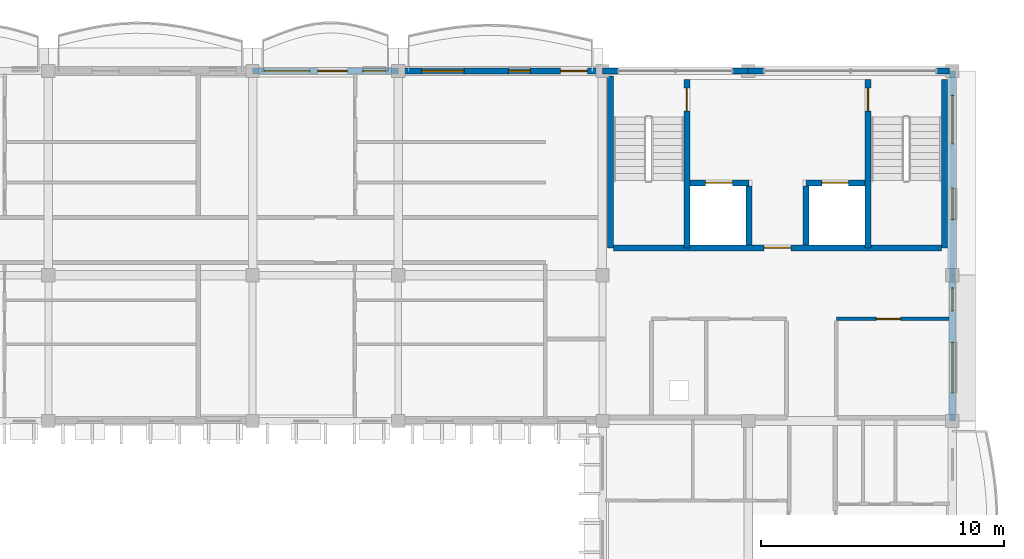
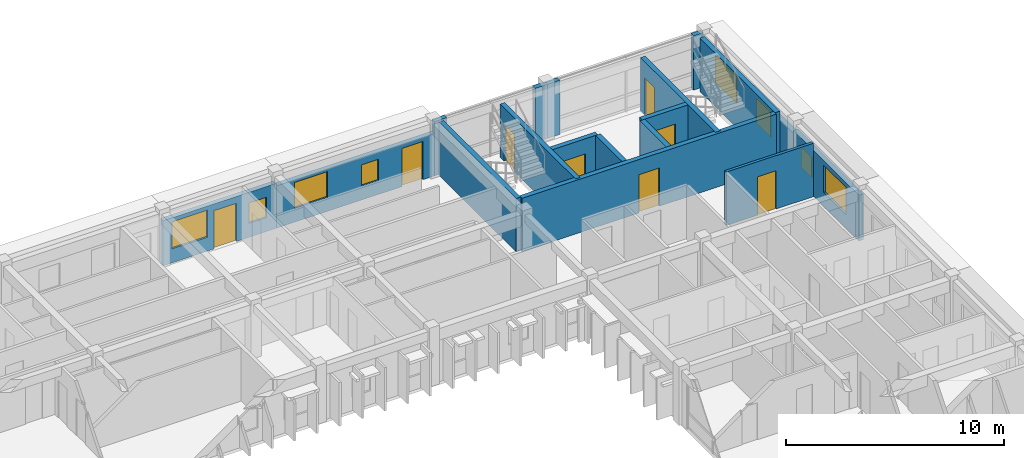
# One storey, part 19 of 31: 18 walls, 8 doors, 8 windows, 16 openings.
"""IFC4 building model written with IfcOpenShell, lengths in metres."""

from ifc_helpers import new_model, si_unit, direction, frame, frame_2d, origin, place, context, subcontext, project, spatial, rectangle, extrude, material, layer, layer_set, type_object, element, fill, save


model = new_model("IFC4")

# Units and contexts
model_context = context("Model", 3, precision=1e-05, world=origin(), true_north=direction((0.0, 1.0)))
body_context = subcontext(model_context, "Body", "Model", "MODEL_VIEW")
ifc_project = project(units=[si_unit("LENGTHUNIT", "METRE"), si_unit("AREAUNIT", "SQUARE_METRE"), si_unit("VOLUMEUNIT", "CUBIC_METRE"), si_unit("PLANEANGLEUNIT", "RADIAN"), si_unit("MASSUNIT", "GRAM", prefix="KILO"), si_unit("THERMODYNAMICTEMPERATUREUNIT", "KELVIN")], contexts=[model_context])

# Site, building, storey
site_placement = place(None, origin())
site = spatial("IfcSite", under=ifc_project, at=site_placement, CompositionType="ELEMENT")
building_placement = place(site_placement, origin())
building = spatial("IfcBuilding", under=site, at=building_placement, Name="Thalorik Housing Commons", CompositionType="ELEMENT")
storey_placement = place(building_placement, frame((0.0, 0.0, 37.800048828125)))
storey = spatial("IfcBuildingStorey", under=building, at=storey_placement, Name="L11", CompositionType="ELEMENT", Elevation=37.800048828125)

# Wall, opening, door
ifc_material_1 = material(Name="Concrete C40/50", Category="concrete")
ifc_layer_1 = layer(ifc_material_1, 0.25, Name="Concrete C40/50", Category="concrete")
ifc_layer_set_1 = layer_set([ifc_layer_1], Name="Concrete C40/50")
wall_type_1 = type_object("IfcWallType", Name="ARC-WAL-CORE-250", PredefinedType="SHEAR", material=ifc_layer_set_1)
wall_1_placement = place(storey_placement, frame((155.875, 123.25, 0.0), z_axis=(0.0, 0.0, 1.0), x_axis=(0.0, -1.0, 0.0)))
wall_1 = element("IfcWall", 1, at=wall_1_placement, inside=storey, type_object=wall_type_1, Name="L11 Core B Stair 1 Shear Wall", PredefinedType="SHEAR", context=body_context, shape_type="SweptSolid", body=[
    extrude(rectangle(XDim=6.925048828125, YDim=0.25, at=frame_2d((3.46240234375, 0.0))), origin(), (0.0, 0.0, 1.0), 3.0),
])
opening_1_placement = place(wall_1_placement, frame((0.35009765625, 0.0, 0.0)))
opening_1 = element("IfcOpeningElement", 2, at=opening_1_placement, cuts=wall_1, Name="Opening ID-0233", PredefinedType="OPENING", context=body_context, shape_type="SweptSolid", body=[
    extrude(rectangle(XDim=0.949951171875, YDim=2.10009765625, at=frame_2d((0.47509765625, 1.050048828125))), frame((0.0, 0.135009765625, 0.0), z_axis=(0.0, -1.0, 0.0), x_axis=(1.0, 0.0, 0.0)), (0.0, 0.0, 1.0), 0.27001953125),
])
ifc_material_2 = material(Name="Steel S355", Category="steel")
door_type_1 = type_object("IfcDoorType", Name="ARC-DR-FD60-950", OperationType="NOTDEFINED", PredefinedType="DOOR", material=ifc_material_2)
door_1_placement = place(opening_1_placement, origin())
door_1 = element("IfcDoor", 3, at=door_1_placement, inside=storey, type_object=door_type_1, Name="L11 Stair ST-B1 Fire Door", OperationType="SINGLE_SWING_RIGHT", OverallHeight=2.10009765625, OverallWidth=0.949951171875, PredefinedType="DOOR", context=body_context, shape_type="SweptSolid", body=[
    extrude(rectangle(XDim=0.949951171875, YDim=2.10009765625, at=frame_2d((0.47509765625, 1.050048828125))), frame((0.0, 0.02490234375, 0.0), z_axis=(0.0, -1.0, 0.0), x_axis=(1.0, 0.0, 0.0)), (0.0, 0.0, 1.0), 0.050048828125),
])
fill(opening_1, door_1)

# Walls
wall_2_placement = place(storey_placement, frame((152.72509765625, 123.39990234375, 0.0), z_axis=(0.0, 0.0, 1.0), x_axis=(0.0, -1.0, 0.0)))
element("IfcWall", 4, at=wall_2_placement, inside=storey, type_object=wall_type_1, Name="L11 Core B Stair 1 Outer Shear Wall", PredefinedType="SHEAR", context=body_context, shape_type="SweptSolid", body=[
    extrude(rectangle(XDim=7.074951171875, YDim=0.25, at=frame_2d((3.53759765625, 0.0))), origin(), (0.0, 0.0, 1.0), 3.0),
])
wall_3_placement = place(storey_placement, frame((166.47509765625, 123.25, 0.0), z_axis=(0.0, 0.0, 1.0), x_axis=(0.0, -1.0, 0.0)))
element("IfcWall", 5, at=wall_3_placement, inside=storey, type_object=wall_type_1, Name="L11 Core B Stair 2 Outer Shear Wall", PredefinedType="SHEAR", context=body_context, shape_type="SweptSolid", body=[
    extrude(rectangle(XDim=6.925048828125, YDim=0.25, at=frame_2d((3.46240234375, 0.0))), origin(), (0.0, 0.0, 1.0), 3.0),
])

# Wall, opening, door
wall_4_placement = place(storey_placement, frame((163.324951171875, 123.25, 0.0), z_axis=(0.0, 0.0, 1.0), x_axis=(0.0, -1.0, 0.0)))
wall_4 = element("IfcWall", 6, at=wall_4_placement, inside=storey, type_object=wall_type_1, Name="L11 Core B Stair 2 Shear Wall", PredefinedType="SHEAR", context=body_context, shape_type="SweptSolid", body=[
    extrude(rectangle(XDim=6.925048828125, YDim=0.25, at=frame_2d((3.46240234375, 0.0))), origin(), (0.0, 0.0, 1.0), 3.0),
])
opening_2_placement = place(wall_4_placement, frame((0.35009765625, 0.0, 0.0)))
opening_2 = element("IfcOpeningElement", 7, at=opening_2_placement, cuts=wall_4, Name="Opening ID-0234", PredefinedType="OPENING", context=body_context, shape_type="SweptSolid", body=[
    extrude(rectangle(XDim=0.949951171875, YDim=2.10009765625, at=frame_2d((0.47509765625, 1.050048828125))), frame((0.0, 0.135009765625, 0.0), z_axis=(0.0, -1.0, 0.0), x_axis=(1.0, 0.0, 0.0)), (0.0, 0.0, 1.0), 0.27001953125),
])
door_2_placement = place(opening_2_placement, origin())
door_2 = element("IfcDoor", 8, at=door_2_placement, inside=storey, type_object=door_type_1, Name="L11 Stair ST-B2 Fire Door", OperationType="SINGLE_SWING_LEFT", OverallHeight=2.10009765625, OverallWidth=0.949951171875, PredefinedType="DOOR", context=body_context, shape_type="SweptSolid", body=[
    extrude(rectangle(XDim=0.949951171875, YDim=2.10009765625, at=frame_2d((0.47509765625, 1.050048828125))), frame((0.0, 0.02490234375, 0.0), z_axis=(0.0, -1.0, 0.0), x_axis=(1.0, 0.0, 0.0)), (0.0, 0.0, 1.0), 0.050048828125),
])
fill(opening_2, door_2)

wall_5_placement = place(storey_placement, frame((156.0, 119.0, 0.0), z_axis=(0.0, 0.0, 1.0), x_axis=(1.0, 0.0, 0.0)))
wall_5 = element("IfcWall", 9, at=wall_5_placement, inside=storey, type_object=wall_type_1, Name="L11 Lift LF-B1 Front Shaft Wall", PredefinedType="SHEAR", context=body_context, shape_type="SweptSolid", body=[
    extrude(rectangle(XDim=2.425048828125, YDim=0.25, at=frame_2d((1.21240234375, 0.0))), origin(), (0.0, 0.0, 1.0), 3.0),
])
opening_3_placement = place(wall_5_placement, frame((0.64990234375, 0.0, 0.0)))
opening_3 = element("IfcOpeningElement", 10, at=opening_3_placement, cuts=wall_5, Name="Opening LD-LF-B1-L11", PredefinedType="OPENING", context=body_context, shape_type="SweptSolid", body=[
    extrude(rectangle(XDim=1.10009765625, YDim=2.14990234375, at=frame_2d((0.550048828125, 1.074951171875))), frame((0.0, 0.135009765625, 0.0), z_axis=(0.0, -1.0, 0.0), x_axis=(1.0, 0.0, 0.0)), (0.0, 0.0, 1.0), 0.27001953125),
])
door_type_2 = type_object("IfcDoorType", Name="ARC-DR-LIFT-1100", OperationType="NOTDEFINED", PredefinedType="DOOR", material=ifc_material_2)
door_3_placement = place(opening_3_placement, origin())
door_3 = element("IfcDoor", 11, at=door_3_placement, inside=storey, type_object=door_type_2, Name="L11 Lift LF-B1 Landing Door", OperationType="SLIDING_TO_LEFT", OverallHeight=2.14990234375, OverallWidth=1.10009765625, PredefinedType="DOOR", context=body_context, shape_type="SweptSolid", body=[
    extrude(rectangle(XDim=1.10009765625, YDim=2.14990234375, at=frame_2d((0.550048828125, 1.074951171875))), frame((0.0, 0.02490234375, 0.0), z_axis=(0.0, -1.0, 0.0), x_axis=(1.0, 0.0, 0.0)), (0.0, 0.0, 1.0), 0.050048828125),
])
fill(opening_3, door_3)

wall_6_placement = place(storey_placement, frame((160.77490234375, 119.0, 0.0), z_axis=(0.0, 0.0, 1.0), x_axis=(1.0, 0.0, 0.0)))
wall_6 = element("IfcWall", 12, at=wall_6_placement, inside=storey, type_object=wall_type_1, Name="L11 Lift LP-B2 Front Shaft Wall", PredefinedType="SHEAR", context=body_context, shape_type="SweptSolid", body=[
    extrude(rectangle(XDim=2.425048828125, YDim=0.25, at=frame_2d((1.21240234375, 0.0))), origin(), (0.0, 0.0, 1.0), 3.0),
])
opening_4_placement = place(wall_6_placement, frame((0.64990234375, 0.0, 0.0)))
opening_4 = element("IfcOpeningElement", 13, at=opening_4_placement, cuts=wall_6, Name="Opening LD-LP-B2-L11", PredefinedType="OPENING", context=body_context, shape_type="SweptSolid", body=[
    extrude(rectangle(XDim=1.10009765625, YDim=2.14990234375, at=frame_2d((0.550048828125, 1.074951171875))), frame((0.0, 0.135009765625, 0.0), z_axis=(0.0, -1.0, 0.0), x_axis=(1.0, 0.0, 0.0)), (0.0, 0.0, 1.0), 0.27001953125),
])
door_4_placement = place(opening_4_placement, origin())
door_4 = element("IfcDoor", 14, at=door_4_placement, inside=storey, type_object=door_type_2, Name="L11 Lift LP-B2 Landing Door", OperationType="SLIDING_TO_LEFT", OverallHeight=2.14990234375, OverallWidth=1.10009765625, PredefinedType="DOOR", context=body_context, shape_type="SweptSolid", body=[
    extrude(rectangle(XDim=1.10009765625, YDim=2.14990234375, at=frame_2d((0.550048828125, 1.074951171875))), frame((0.0, 0.02490234375, 0.0), z_axis=(0.0, -1.0, 0.0), x_axis=(1.0, 0.0, 0.0)), (0.0, 0.0, 1.0), 0.050048828125),
])
fill(opening_4, door_4)

# Walls
for number, where, z_axis, x_axis, name in (
    (15, (158.425048828125, 118.875, 0.0), (0.0, 0.0, 1.0), (0.0, -1.0, 0.0), "L11 Lift 1 Cheek Wall"),
    (16, (160.77490234375, 118.875, 0.0), (0.0, 0.0, 1.0), (0.0, -1.0, 0.0), "L11 Lift 2 Cheek Wall"),
):
    element("IfcWall", number, at=place(storey_placement, frame(where, z_axis=z_axis, x_axis=x_axis)), inside=storey, type_object=wall_type_1, Name=name, PredefinedType="SHEAR", context=body_context, shape_type="SweptSolid", body=[
        extrude(rectangle(XDim=2.425048828125, YDim=0.25, at=frame_2d((1.21240234375, 0.0))), origin(), (0.0, 0.0, 1.0), 3.0),
    ])

# Wall, opening, door
wall_7_placement = place(storey_placement, frame((152.85009765625, 116.324951171875, 0.0), z_axis=(0.0, 0.0, 1.0), x_axis=(1.0, 0.0, 0.0)))
wall_7 = element("IfcWall", 17, at=wall_7_placement, inside=storey, type_object=wall_type_1, Name="L11 Core B Spine Shear Wall", PredefinedType="SHEAR", context=body_context, shape_type="SweptSolid", body=[
    extrude(rectangle(XDim=13.5, YDim=0.25, at=frame_2d((6.75, 0.0))), origin(), (0.0, 0.0, 1.0), 3.0),
])
opening_5_placement = place(wall_7_placement, frame((6.199951171875, 0.0, 0.0)))
opening_5 = element("IfcOpeningElement", 18, at=opening_5_placement, cuts=wall_7, Name="Opening ID-0237", PredefinedType="OPENING", context=body_context, shape_type="SweptSolid", body=[
    extrude(rectangle(XDim=1.10009765625, YDim=2.14990234375, at=frame_2d((0.550048828125, 1.074951171875))), frame((0.0, 0.135009765625, 0.0), z_axis=(0.0, -1.0, 0.0), x_axis=(1.0, 0.0, 0.0)), (0.0, 0.0, 1.0), 0.27001953125),
])
door_type_3 = type_object("IfcDoorType", Name="ARC-DR-FD60-1100", OperationType="NOTDEFINED", PredefinedType="DOOR", material=ifc_material_2)
door_5_placement = place(opening_5_placement, origin())
door_5 = element("IfcDoor", 19, at=door_5_placement, inside=storey, type_object=door_type_3, Name="L11 Core B Lobby Fire Door", OperationType="SINGLE_SWING_RIGHT", OverallHeight=2.14990234375, OverallWidth=1.10009765625, PredefinedType="DOOR", context=body_context, shape_type="SweptSolid", body=[
    extrude(rectangle(XDim=1.10009765625, YDim=2.14990234375, at=frame_2d((0.550048828125, 1.074951171875))), frame((0.0, 0.02490234375, 0.0), z_axis=(0.0, -1.0, 0.0), x_axis=(1.0, 0.0, 0.0)), (0.0, 0.0, 1.0), 0.050048828125),
])
fill(opening_5, door_5)

# Wall, openings, windows
ifc_material_3 = material(Name="White precast concrete C40/50", Category="concrete")
ifc_layer_2 = layer(ifc_material_3, 0.2451171875, Name="White precast concrete C40/50", Category="concrete")
ifc_layer_set_2 = layer_set([ifc_layer_2], Name="White precast concrete C40/50")
wall_type_2 = type_object("IfcWallType", Name="ARC-WAL-EXT-245", PredefinedType="STANDARD", material=ifc_layer_set_2)
wall_8_placement = place(storey_placement, frame((166.800048828125, 109.199951171875, 0.0), z_axis=(0.0, 0.0, 1.0), x_axis=(0.0, 1.0, 0.0)))
wall_8 = element("IfcWall", 20, at=wall_8_placement, inside=storey, type_object=wall_type_2, Name="L11 Exterior Wall WAL-EXT-L11-B-0769", PredefinedType="STANDARD", context=body_context, shape_type="SweptSolid", body=[
    extrude(rectangle(XDim=6.0, YDim=0.2451171875, at=frame_2d((3.0, 0.0))), origin(), (0.0, 0.0, 1.0), 2.574951171875),
])
opening_6_placement = place(wall_8_placement, frame((1.155029296875, 0.0, 0.780029296875)))
opening_6 = element("IfcOpeningElement", 21, at=opening_6_placement, cuts=wall_8, Name="Opening W-63", PredefinedType="OPENING", context=body_context, shape_type="SweptSolid", body=[
    extrude(rectangle(XDim=2.080078125, YDim=1.52001953125, at=frame_2d((1.0400390625, 0.760009765625))), frame((0.0, 0.132568359375, 0.0), z_axis=(0.0, -1.0, 0.0), x_axis=(1.0, 0.0, 0.0)), (0.0, 0.0, 1.0), 0.26513671875),
])
opening_7_placement = place(wall_8_placement, frame((4.530029296875, 0.0, 0.780029296875)))
opening_7 = element("IfcOpeningElement", 22, at=opening_7_placement, cuts=wall_8, Name="Opening W-43", PredefinedType="OPENING", context=body_context, shape_type="SweptSolid", body=[
    extrude(rectangle(XDim=0.949951171875, YDim=1.14990234375, at=frame_2d((0.47509765625, 0.574951171875))), frame((0.0, 0.132568359375, 0.0), z_axis=(0.0, -1.0, 0.0), x_axis=(1.0, 0.0, 0.0)), (0.0, 0.0, 1.0), 0.26513671875),
])
ifc_material_4 = material(Name="Anodised aluminium and solar-control low-E glass", Category="aluminium")
window_type_1 = type_object("IfcWindowType", Name="ARC-WIN-43", PartitioningType="SINGLE_PANEL", PredefinedType="WINDOW", material=ifc_material_4)
window_1_placement = place(opening_7_placement, origin())
window_1 = element("IfcWindow", 23, at=window_1_placement, inside=storey, type_object=window_type_1, Name="L11 Facade Window 1420", OverallHeight=1.14990234375, OverallWidth=0.949951171875, PartitioningType="SINGLE_PANEL", PredefinedType="WINDOW", context=body_context, shape_type="SweptSolid", body=[
    extrude(rectangle(XDim=0.949951171875, YDim=1.14990234375, at=frame_2d((0.47509765625, 0.574951171875))), frame((0.0, 0.030029296875, 0.0), z_axis=(0.0, -1.0, 0.0), x_axis=(1.0, 0.0, 0.0)), (0.0, 0.0, 1.0), 0.06005859375),
])
fill(opening_7, window_1)
window_type_2 = type_object("IfcWindowType", Name="ARC-WIN-63", PartitioningType="DOUBLE_PANEL_VERTICAL", PredefinedType="WINDOW", material=ifc_material_4)
window_2_placement = place(opening_6_placement, origin())
window_2 = element("IfcWindow", 24, at=window_2_placement, inside=storey, type_object=window_type_2, Name="L11 Facade Window 1419", OverallHeight=1.52001953125, OverallWidth=2.080078125, PartitioningType="DOUBLE_PANEL_VERTICAL", PredefinedType="WINDOW", context=body_context, shape_type="SweptSolid", body=[
    extrude(rectangle(XDim=2.080078125, YDim=1.52001953125, at=frame_2d((1.0400390625, 0.760009765625))), frame((0.0, 0.030029296875, 0.0), z_axis=(0.0, -1.0, 0.0), x_axis=(1.0, 0.0, 0.0)), (0.0, 0.0, 1.0), 0.06005859375),
])
fill(opening_6, window_2)

wall_9_placement = place(storey_placement, frame((166.800048828125, 115.199951171875, 0.0), z_axis=(0.0, 0.0, 1.0), x_axis=(0.0, 1.0, 0.0)))
wall_9 = element("IfcWall", 25, at=wall_9_placement, inside=storey, type_object=wall_type_2, Name="L11 Exterior Wall WAL-EXT-L11-B-0770", PredefinedType="STANDARD", context=body_context, shape_type="SweptSolid", body=[
    extrude(rectangle(XDim=8.400146484375, YDim=0.2451171875, at=frame_2d((4.2001953125, 0.0))), origin(), (0.0, 0.0, 1.0), 2.425048828125),
])
opening_8_placement = place(wall_9_placement, frame((2.28125, 0.0, 0.780029296875)))
opening_8 = element("IfcOpeningElement", 26, at=opening_8_placement, cuts=wall_9, Name="Opening W-06", PredefinedType="OPENING", context=body_context, shape_type="SweptSolid", body=[
    extrude(rectangle(XDim=1.300048828125, YDim=1.39990234375, at=frame_2d((0.64990234375, 0.699951171875))), frame((0.0, 0.132568359375, 0.0), z_axis=(0.0, -1.0, 0.0), x_axis=(1.0, 0.0, 0.0)), (0.0, 0.0, 1.0), 0.26513671875),
])
opening_9_placement = place(wall_9_placement, frame((5.40380859375, 0.0, 0.780029296875)))
opening_9 = element("IfcOpeningElement", 27, at=opening_9_placement, cuts=wall_9, Name="Opening W-23", PredefinedType="OPENING", context=body_context, shape_type="SweptSolid", body=[
    extrude(rectangle(XDim=2.0, YDim=1.5, at=frame_2d((1.0, 0.75))), frame((0.0, 0.132568359375, 0.0), z_axis=(0.0, -1.0, 0.0), x_axis=(1.0, 0.0, 0.0)), (0.0, 0.0, 1.0), 0.26513671875),
])
window_type_3 = type_object("IfcWindowType", Name="ARC-WIN-06", PartitioningType="SINGLE_PANEL", PredefinedType="WINDOW", material=ifc_material_4)
window_3_placement = place(opening_8_placement, origin())
window_3 = element("IfcWindow", 28, at=window_3_placement, inside=storey, type_object=window_type_3, Name="L11 Facade Window 1421", OverallHeight=1.39990234375, OverallWidth=1.300048828125, PartitioningType="SINGLE_PANEL", PredefinedType="WINDOW", context=body_context, shape_type="SweptSolid", body=[
    extrude(rectangle(XDim=1.300048828125, YDim=1.39990234375, at=frame_2d((0.64990234375, 0.699951171875))), frame((0.0, 0.030029296875, 0.0), z_axis=(0.0, -1.0, 0.0), x_axis=(1.0, 0.0, 0.0)), (0.0, 0.0, 1.0), 0.06005859375),
])
fill(opening_8, window_3)
window_type_4 = type_object("IfcWindowType", Name="ARC-WIN-23", PartitioningType="DOUBLE_PANEL_VERTICAL", PredefinedType="WINDOW", material=ifc_material_4)
window_4_placement = place(opening_9_placement, origin())
window_4 = element("IfcWindow", 29, at=window_4_placement, inside=storey, type_object=window_type_4, Name="L11 Facade Window 1422", OverallHeight=1.5, OverallWidth=2.0, PartitioningType="DOUBLE_PANEL_VERTICAL", PredefinedType="WINDOW", context=body_context, shape_type="SweptSolid", body=[
    extrude(rectangle(XDim=2.0, YDim=1.5, at=frame_2d((1.0, 0.75))), frame((0.0, 0.030029296875, 0.0), z_axis=(0.0, -1.0, 0.0), x_axis=(1.0, 0.0, 0.0)), (0.0, 0.0, 1.0), 0.06005859375),
])
fill(opening_9, window_4)

# Walls
wall_10_placement = place(storey_placement, frame((166.675537109375, 123.60009765625, 0.0), z_axis=(0.0, 0.0, 1.0), x_axis=(-1.0, 0.0, 0.0)))
element("IfcWall", 30, at=wall_10_placement, inside=storey, type_object=wall_type_2, Name="L11 Exterior Wall WAL-PIERL-L11-B-0771", PredefinedType="STANDARD", context=body_context, shape_type="SweptSolid", body=[
    extrude(rectangle(XDim=0.525634765625, YDim=0.2451171875, at=frame_2d((0.2626953125, 0.0))), origin(), (0.0, 0.0, 1.0), 3.0400390625),
])
wall_11_placement = place(storey_placement, frame((159.050048828125, 123.60009765625, 0.0), z_axis=(0.0, 0.0, 1.0), x_axis=(-1.0, 0.0, 0.0)))
element("IfcWall", 31, at=wall_11_placement, inside=storey, type_object=wall_type_2, Name="L11 Exterior Wall WAL-PIERR-L11-B-0771", PredefinedType="STANDARD", context=body_context, shape_type="SweptSolid", body=[
    extrude(rectangle(XDim=0.650146484375, YDim=0.2451171875, at=frame_2d((0.3251953125, 0.0))), origin(), (0.0, 0.0, 1.0), 3.0400390625),
])
wall_12_placement = place(storey_placement, frame((158.39990234375, 123.60009765625, 0.0), z_axis=(0.0, 0.0, 1.0), x_axis=(-1.0, 0.0, 0.0)))
element("IfcWall", 32, at=wall_12_placement, inside=storey, type_object=wall_type_2, Name="L11 Exterior Wall WAL-PIERL-L11-B-0772", PredefinedType="STANDARD", context=body_context, shape_type="SweptSolid", body=[
    extrude(rectangle(XDim=0.64990234375, YDim=0.2451171875, at=frame_2d((0.324951171875, 0.0))), origin(), (0.0, 0.0, 1.0), 3.0400390625),
])
wall_13_placement = place(storey_placement, frame((153.050048828125, 123.60009765625, 0.0), z_axis=(0.0, 0.0, 1.0), x_axis=(-1.0, 0.0, 0.0)))
element("IfcWall", 33, at=wall_13_placement, inside=storey, type_object=wall_type_2, Name="L11 Exterior Wall WAL-PIERR-L11-B-0772", PredefinedType="STANDARD", context=body_context, shape_type="SweptSolid", body=[
    extrude(rectangle(XDim=0.650146484375, YDim=0.2451171875, at=frame_2d((0.3251953125, 0.0))), origin(), (0.0, 0.0, 1.0), 3.0400390625),
])

# Wall, openings, door, windows
wall_14_placement = place(storey_placement, frame((152.39990234375, 123.60009765625, 0.0), z_axis=(0.0, 0.0, 1.0), x_axis=(-1.0, 0.0, 0.0)))
wall_14 = element("IfcWall", 34, at=wall_14_placement, inside=storey, type_object=wall_type_2, Name="L11 Exterior Wall WAL-EXT-L11-B-0773", PredefinedType="STANDARD", context=body_context, shape_type="SweptSolid", body=[
    extrude(rectangle(XDim=8.39990234375, YDim=0.2451171875, at=frame_2d((4.199951171875, 0.0))), origin(), (0.0, 0.0, 1.0), 2.375),
])
opening_10_placement = place(wall_14_placement, frame((0.6201171875, 0.0, 0.0)))
opening_10 = element("IfcOpeningElement", 35, at=opening_10_placement, cuts=wall_14, Name="Opening ED-0263", PredefinedType="OPENING", context=body_context, shape_type="SweptSolid", body=[
    extrude(rectangle(XDim=1.10009765625, YDim=2.14990234375, at=frame_2d((0.550048828125, 1.074951171875))), frame((0.0, 0.132568359375, 0.0), z_axis=(0.0, -1.0, 0.0), x_axis=(1.0, 0.0, 0.0)), (0.0, 0.0, 1.0), 0.26513671875),
])
opening_11_placement = place(wall_14_placement, frame((2.965087890625, 0.0, 0.780029296875)))
opening_11 = element("IfcOpeningElement", 36, at=opening_11_placement, cuts=wall_14, Name="Opening W-01", PredefinedType="OPENING", context=body_context, shape_type="SweptSolid", body=[
    extrude(rectangle(XDim=0.89990234375, YDim=1.199951171875, at=frame_2d((0.449951171875, 0.60009765625))), frame((0.0, 0.132568359375, 0.0), z_axis=(0.0, -1.0, 0.0), x_axis=(1.0, 0.0, 0.0)), (0.0, 0.0, 1.0), 0.26513671875),
])
opening_12_placement = place(wall_14_placement, frame((5.68994140625, 0.0, 0.780029296875)))
opening_12 = element("IfcOpeningElement", 37, at=opening_12_placement, cuts=wall_14, Name="Opening W-17", PredefinedType="OPENING", context=body_context, shape_type="SweptSolid", body=[
    extrude(rectangle(XDim=1.75, YDim=1.449951171875, at=frame_2d((0.875, 0.72509765625))), frame((0.0, 0.132568359375, 0.0), z_axis=(0.0, -1.0, 0.0), x_axis=(1.0, 0.0, 0.0)), (0.0, 0.0, 1.0), 0.26513671875),
])
ifc_material_5 = material(Name="Anodised aluminium and laminated safety glass", Category="aluminium")
door_type_4 = type_object("IfcDoorType", Name="ARC-DR-BAL-1100", OperationType="NOTDEFINED", PredefinedType="DOOR", material=ifc_material_5)
door_6_placement = place(opening_10_placement, frame((1.10009765625, 0.0, 0.0), z_axis=(0.0, 0.0, 1.0), x_axis=(-1.0, 0.0, 0.0)))
door_6 = element("IfcDoor", 38, at=door_6_placement, inside=storey, type_object=door_type_4, Name="L11 Block B Balcony Glazed Door", OperationType="SINGLE_SWING_RIGHT", OverallHeight=2.14990234375, OverallWidth=1.10009765625, PredefinedType="DOOR", context=body_context, shape_type="SweptSolid", body=[
    extrude(rectangle(XDim=1.10009765625, YDim=2.14990234375, at=frame_2d((0.550048828125, 1.074951171875))), frame((0.0, 0.02490234375, 0.0), z_axis=(0.0, -1.0, 0.0), x_axis=(1.0, 0.0, 0.0)), (0.0, 0.0, 1.0), 0.050048828125),
])
fill(opening_10, door_6)
window_type_5 = type_object("IfcWindowType", Name="ARC-WIN-01", PartitioningType="SINGLE_PANEL", PredefinedType="WINDOW", material=ifc_material_4)
window_5_placement = place(opening_11_placement, origin())
window_5 = element("IfcWindow", 39, at=window_5_placement, inside=storey, type_object=window_type_5, Name="L11 Facade Window 1423", OverallHeight=1.199951171875, OverallWidth=0.89990234375, PartitioningType="SINGLE_PANEL", PredefinedType="WINDOW", context=body_context, shape_type="SweptSolid", body=[
    extrude(rectangle(XDim=0.89990234375, YDim=1.199951171875, at=frame_2d((0.449951171875, 0.60009765625))), frame((0.0, 0.030029296875, 0.0), z_axis=(0.0, -1.0, 0.0), x_axis=(1.0, 0.0, 0.0)), (0.0, 0.0, 1.0), 0.06005859375),
])
fill(opening_11, window_5)
window_type_6 = type_object("IfcWindowType", Name="ARC-WIN-17", PartitioningType="DOUBLE_PANEL_VERTICAL", PredefinedType="WINDOW", material=ifc_material_4)
window_6_placement = place(opening_12_placement, origin())
window_6 = element("IfcWindow", 40, at=window_6_placement, inside=storey, type_object=window_type_6, Name="L11 Facade Window 1424", OverallHeight=1.449951171875, OverallWidth=1.75, PartitioningType="DOUBLE_PANEL_VERTICAL", PredefinedType="WINDOW", context=body_context, shape_type="SweptSolid", body=[
    extrude(rectangle(XDim=1.75, YDim=1.449951171875, at=frame_2d((0.875, 0.72509765625))), frame((0.0, 0.030029296875, 0.0), z_axis=(0.0, -1.0, 0.0), x_axis=(1.0, 0.0, 0.0)), (0.0, 0.0, 1.0), 0.06005859375),
])
fill(opening_12, window_6)

wall_15_placement = place(storey_placement, frame((144.0, 123.60009765625, 0.0), z_axis=(0.0, 0.0, 1.0), x_axis=(-1.0, 0.0, 0.0)))
wall_15 = element("IfcWall", 41, at=wall_15_placement, inside=storey, type_object=wall_type_2, Name="L11 Exterior Wall WAL-EXT-L11-B-0774", PredefinedType="STANDARD", context=body_context, shape_type="SweptSolid", body=[
    extrude(rectangle(XDim=6.0, YDim=0.2451171875, at=frame_2d((3.0, 0.0))), origin(), (0.0, 0.0, 1.0), 2.52490234375),
])
opening_13_placement = place(wall_15_placement, frame((2.105712890625, 0.0, 0.0)))
opening_13 = element("IfcOpeningElement", 42, at=opening_13_placement, cuts=wall_15, Name="Opening ED-0264", PredefinedType="OPENING", context=body_context, shape_type="SweptSolid", body=[
    extrude(rectangle(XDim=1.199951171875, YDim=2.14990234375, at=frame_2d((0.60009765625, 1.074951171875))), frame((0.0, 0.132568359375, 0.0), z_axis=(0.0, -1.0, 0.0), x_axis=(1.0, 0.0, 0.0)), (0.0, 0.0, 1.0), 0.26513671875),
])
opening_14_placement = place(wall_15_placement, frame((0.5078125, 0.0, 0.780029296875)))
opening_14 = element("IfcOpeningElement", 43, at=opening_14_placement, cuts=wall_15, Name="Opening W-43", PredefinedType="OPENING", context=body_context, shape_type="SweptSolid", body=[
    extrude(rectangle(XDim=0.949951171875, YDim=1.14990234375, at=frame_2d((0.47509765625, 0.574951171875))), frame((0.0, 0.132568359375, 0.0), z_axis=(0.0, -1.0, 0.0), x_axis=(1.0, 0.0, 0.0)), (0.0, 0.0, 1.0), 0.26513671875),
])
opening_15_placement = place(wall_15_placement, frame((3.642822265625, 0.0, 0.780029296875)))
opening_15 = element("IfcOpeningElement", 44, at=opening_15_placement, cuts=wall_15, Name="Opening W-59", PredefinedType="OPENING", context=body_context, shape_type="SweptSolid", body=[
    extrude(rectangle(XDim=1.8798828125, YDim=1.52001953125, at=frame_2d((0.93994140625, 0.760009765625))), frame((0.0, 0.132568359375, 0.0), z_axis=(0.0, -1.0, 0.0), x_axis=(1.0, 0.0, 0.0)), (0.0, 0.0, 1.0), 0.26513671875),
])
door_type_5 = type_object("IfcDoorType", Name="ARC-DR-BAL-1200", OperationType="NOTDEFINED", PredefinedType="DOOR", material=ifc_material_5)
door_7_placement = place(opening_13_placement, frame((1.199951171875, 0.0, 0.0), z_axis=(0.0, 0.0, 1.0), x_axis=(-1.0, 0.0, 0.0)))
door_7 = element("IfcDoor", 45, at=door_7_placement, inside=storey, type_object=door_type_5, Name="L11 Block B Balcony Glazed Door", OperationType="SINGLE_SWING_LEFT", OverallHeight=2.14990234375, OverallWidth=1.199951171875, PredefinedType="DOOR", context=body_context, shape_type="SweptSolid", body=[
    extrude(rectangle(XDim=1.199951171875, YDim=2.14990234375, at=frame_2d((0.60009765625, 1.074951171875))), frame((0.0, 0.02490234375, 0.0), z_axis=(0.0, -1.0, 0.0), x_axis=(1.0, 0.0, 0.0)), (0.0, 0.0, 1.0), 0.050048828125),
])
fill(opening_13, door_7)
window_7_placement = place(opening_14_placement, origin())
window_7 = element("IfcWindow", 46, at=window_7_placement, inside=storey, type_object=window_type_1, Name="L11 Facade Window 1425", OverallHeight=1.14990234375, OverallWidth=0.949951171875, PartitioningType="SINGLE_PANEL", PredefinedType="WINDOW", context=body_context, shape_type="SweptSolid", body=[
    extrude(rectangle(XDim=0.949951171875, YDim=1.14990234375, at=frame_2d((0.47509765625, 0.574951171875))), frame((0.0, 0.030029296875, 0.0), z_axis=(0.0, -1.0, 0.0), x_axis=(1.0, 0.0, 0.0)), (0.0, 0.0, 1.0), 0.06005859375),
])
fill(opening_14, window_7)
window_type_7 = type_object("IfcWindowType", Name="ARC-WIN-59", PartitioningType="DOUBLE_PANEL_VERTICAL", PredefinedType="WINDOW", material=ifc_material_4)
window_8_placement = place(opening_15_placement, origin())
window_8 = element("IfcWindow", 47, at=window_8_placement, inside=storey, type_object=window_type_7, Name="L11 Facade Window 1426", OverallHeight=1.52001953125, OverallWidth=1.8798828125, PartitioningType="DOUBLE_PANEL_VERTICAL", PredefinedType="WINDOW", context=body_context, shape_type="SweptSolid", body=[
    extrude(rectangle(XDim=1.8798828125, YDim=1.52001953125, at=frame_2d((0.93994140625, 0.760009765625))), frame((0.0, 0.030029296875, 0.0), z_axis=(0.0, -1.0, 0.0), x_axis=(1.0, 0.0, 0.0)), (0.0, 0.0, 1.0), 0.06005859375),
])
fill(opening_15, window_8)

# Wall, opening, door
ifc_material_6 = material(Name="Ceramic masonry partition wall", Category="masonry")
ifc_layer_3 = layer(ifc_material_6, 0.14794921875, Name="Ceramic masonry partition wall", Category="masonry")
ifc_layer_set_3 = layer_set([ifc_layer_3], Name="Ceramic masonry partition wall")
wall_type_3 = type_object("IfcWallType", Name="ARC-WAL-PART-150", PredefinedType="PARTITIONING", material=ifc_layer_set_3)
wall_16_placement = place(storey_placement, frame((162.02490234375, 113.39990234375, 0.0), z_axis=(0.0, 0.0, 1.0), x_axis=(1.0, 0.0, 0.0)))
wall_16 = element("IfcWall", 48, at=wall_16_placement, inside=storey, type_object=wall_type_3, Name="L11 Core B East Corridor Partition", PredefinedType="PARTITIONING", context=body_context, shape_type="SweptSolid", body=[
    extrude(rectangle(XDim=4.635009765625, YDim=0.14794921875, at=frame_2d((2.3173828125, 0.0))), origin(), (0.0, 0.0, 1.0), 3.0),
])
opening_16_placement = place(wall_16_placement, frame((1.64990234375, 0.0, 0.0)))
opening_16 = element("IfcOpeningElement", 49, at=opening_16_placement, cuts=wall_16, Name="Opening ID-0240", PredefinedType="OPENING", context=body_context, shape_type="SweptSolid", body=[
    extrude(rectangle(XDim=1.0, YDim=2.14990234375, at=frame_2d((0.5, 1.074951171875))), frame((0.0, 0.083984375, 0.0), z_axis=(0.0, -1.0, 0.0), x_axis=(1.0, 0.0, 0.0)), (0.0, 0.0, 1.0), 0.16796875),
])
door_type_6 = type_object("IfcDoorType", Name="ARC-DR-FD60-1000", OperationType="NOTDEFINED", PredefinedType="DOOR", material=ifc_material_2)
door_8_placement = place(opening_16_placement, origin())
door_8 = element("IfcDoor", 50, at=door_8_placement, inside=storey, type_object=door_type_6, Name="Core Hub Room Door", OperationType="SINGLE_SWING_LEFT", OverallHeight=2.14990234375, OverallWidth=1.0, PredefinedType="DOOR", context=body_context, shape_type="SweptSolid", body=[
    extrude(rectangle(XDim=1.0, YDim=2.14990234375, at=frame_2d((0.5, 1.074951171875))), frame((0.0, 0.02490234375, 0.0), z_axis=(0.0, -1.0, 0.0), x_axis=(1.0, 0.0, 0.0)), (0.0, 0.0, 1.0), 0.050048828125),
])
fill(opening_16, door_8)

save(model, "model.ifc")
